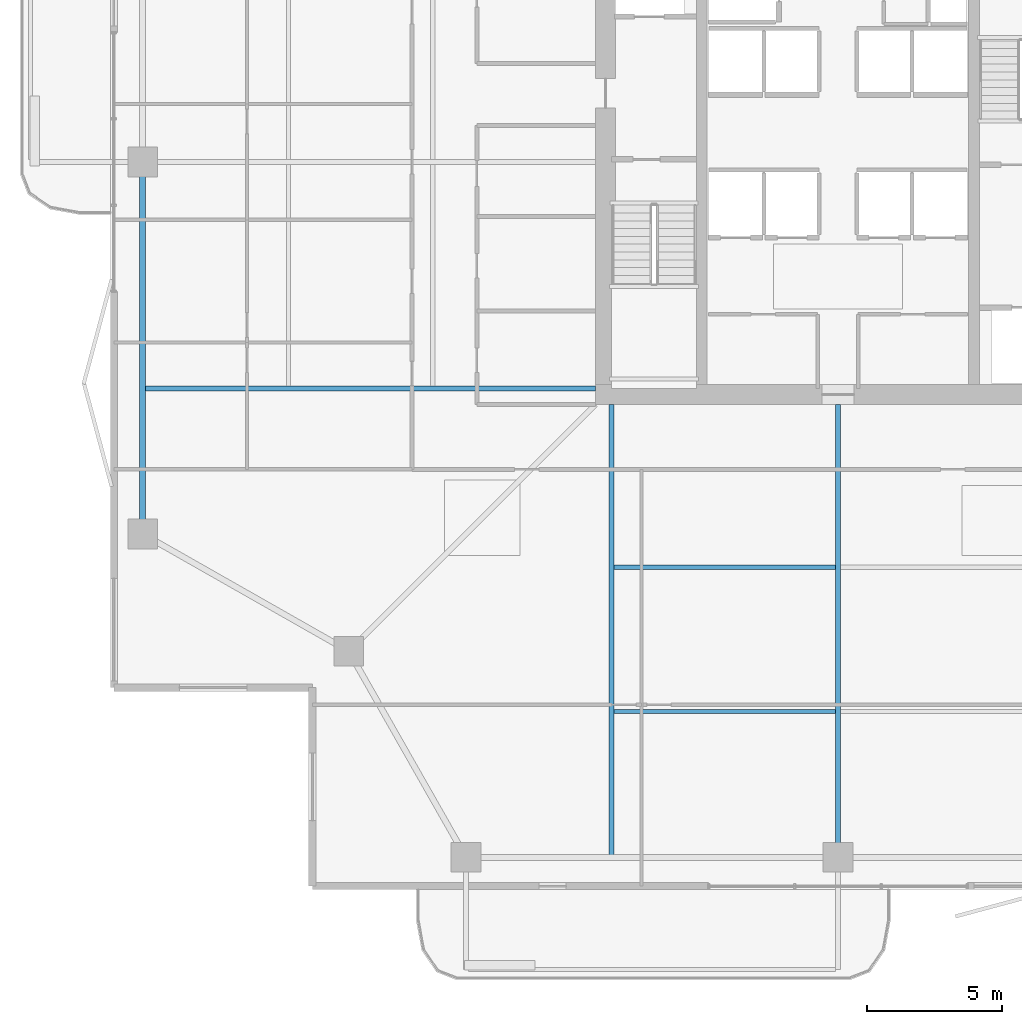
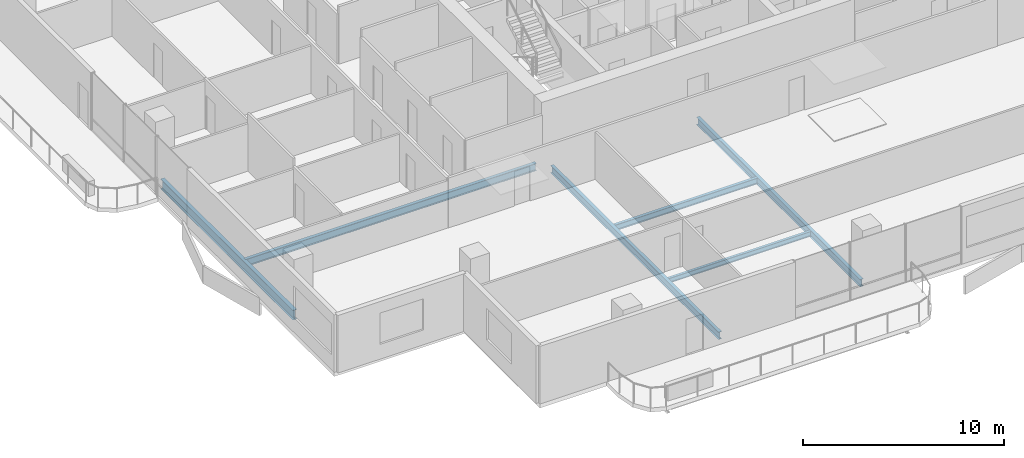
# One storey, part 3 of 23: 6 beams.
"""IFC4 building model written with IfcOpenShell, lengths in metres."""

from ifc_helpers import new_model, si_unit, direction, frame, origin, origin_2d, place, context, subcontext, project, spatial, i_section, extrude, material, material_profile, profile_set, type_object, element, save


model = new_model("IFC4")

# Units and contexts
model_context = context("Model", 3, precision=1e-05, world=origin(), true_north=direction((0.0, 1.0)))
body_context = subcontext(model_context, "Body", "Model", "MODEL_VIEW")
ifc_project = project(units=[si_unit("LENGTHUNIT", "METRE"), si_unit("AREAUNIT", "SQUARE_METRE"), si_unit("VOLUMEUNIT", "CUBIC_METRE"), si_unit("PLANEANGLEUNIT", "RADIAN"), si_unit("MASSUNIT", "GRAM", prefix="KILO")], contexts=[model_context])

# Site, building, storey
site_placement = place(None, origin())
site = spatial("IfcSite", under=ifc_project, at=site_placement, CompositionType="ELEMENT")
building_placement = place(site_placement, origin())
building = spatial("IfcBuilding", under=site, at=building_placement, Name="Belovzor Exchange Tower", CompositionType="ELEMENT")
storey_placement = place(building_placement, frame((0.0, 0.0, 229.949951171875)))
storey = spatial("IfcBuildingStorey", under=building, at=storey_placement, Name="L57", CompositionType="ELEMENT", Elevation=229.949951171875)

# Beams
ifc_material_1 = material(Name="Steel S355", Category="steel")
ifc_material_profile_1 = material_profile(ifc_material_1, i_section(OverallWidth=0.169921875, OverallDepth=0.360107421875, WebThickness=0.008056640625, FlangeThickness=0.0126953125, at=origin_2d()))
ifc_profile_set_1 = profile_set([ifc_material_profile_1], Name="Steel S355")
beam_type_1 = type_object("IfcBeamType", Name="Secondary Infill Floor Joist IPE 360", PredefinedType="BEAM", material=ifc_profile_set_1)
beam_1_placement = place(storey_placement, frame((20.4951171875, 13.77197265625, -0.429931640625), z_axis=(1.0, 0.0, 0.0), x_axis=(0.0, 1.0, 0.0)))
element("IfcBeam", 1, at=beam_1_placement, inside=storey, type_object=beam_type_1, Name="FJ-360 Secondary Infill Floor Joist IPE 360", PredefinedType="BEAM", context=body_context, shape_type="SweptSolid", body=[
    extrude(i_section(OverallWidth=0.169921875, OverallDepth=0.360107421875, WebThickness=0.008056640625, FlangeThickness=0.0126953125, at=origin_2d()), origin(), (0.0, 0.0, 1.0), 8.2099609375),
])
ifc_material_2 = material(Name="Steel S355", Category="steel")
ifc_material_profile_2 = material_profile(ifc_material_2, i_section(OverallWidth=0.14990234375, OverallDepth=0.300048828125, WebThickness=0.007080078125, FlangeThickness=0.0107421875, at=origin_2d()))
ifc_profile_set_2 = profile_set([ifc_material_profile_2], Name="Steel S355")
beam_type_2 = type_object("IfcBeamType", Name="Secondary Trim Floor Joist IPE 300", PredefinedType="BEAM", material=ifc_profile_set_2)
beam_2_placement = place(storey_placement, frame((20.4951171875, 8.4130859375, -0.39990234375), z_axis=(1.0, 0.0, 0.0), x_axis=(0.0, 1.0, 0.0)))
element("IfcBeam", 2, at=beam_2_placement, inside=storey, type_object=beam_type_2, Name="FJ-300 Secondary Trim Floor Joist IPE 300", PredefinedType="BEAM", context=body_context, shape_type="SweptSolid", body=[
    extrude(i_section(OverallWidth=0.14990234375, OverallDepth=0.300048828125, WebThickness=0.007080078125, FlangeThickness=0.0107421875, at=origin_2d()), origin(), (0.0, 0.0, 1.0), 8.2099609375),
])
ifc_material_3 = material(Name="Steel S355", Category="steel")
ifc_material_profile_3 = material_profile(ifc_material_3, i_section(OverallWidth=0.18994140625, OverallDepth=0.449951171875, WebThickness=0.009521484375, FlangeThickness=0.0146484375, at=origin_2d()))
ifc_profile_set_3 = profile_set([ifc_material_profile_3], Name="Steel S355")
beam_type_3 = type_object("IfcBeamType", Name="Zone 2-4 Radial Composite Floor Beam IPE 450", PredefinedType="BEAM", material=ifc_profile_set_3)
beam_3_placement = place(storey_placement, frame((20.39990234375, 19.800048828125, -0.474853515625), z_axis=(0.0, -1.0, 0.0), x_axis=(1.0, 0.0, 0.0)))
element("IfcBeam", 3, at=beam_3_placement, inside=storey, type_object=beam_type_3, Name="FB-450 Zone 2-4 Radial Composite Floor Beam IPE 450", PredefinedType="BEAM", context=body_context, shape_type="SweptSolid", body=[
    extrude(i_section(OverallWidth=0.18994140625, OverallDepth=0.449951171875, WebThickness=0.009521484375, FlangeThickness=0.0146484375, at=origin_2d()), origin(), (0.0, 0.0, 1.0), 16.7451171875),
])
beam_4_placement = place(storey_placement, frame((28.800048828125, 19.800048828125, -0.474853515625), z_axis=(0.0, -1.0, 0.0), x_axis=(1.0, 0.0, 0.0)))
element("IfcBeam", 4, at=beam_4_placement, inside=storey, type_object=beam_type_3, Name="FB-450 Zone 2-4 Radial Composite Floor Beam IPE 450", PredefinedType="BEAM", context=body_context, shape_type="SweptSolid", body=[
    extrude(i_section(OverallWidth=0.18994140625, OverallDepth=0.449951171875, WebThickness=0.009521484375, FlangeThickness=0.0146484375, at=origin_2d()), origin(), (0.0, 0.0, 1.0), 16.316162109375),
])
beam_5_placement = place(storey_placement, frame((19.800048828125, 20.39990234375, -0.474853515625), z_axis=(-1.0, 0.0, 0.0), x_axis=(0.0, -1.0, 0.0)))
element("IfcBeam", 5, at=beam_5_placement, inside=storey, type_object=beam_type_3, Name="FB-450 Zone 2-4 Radial Composite Floor Beam IPE 450", PredefinedType="BEAM", context=body_context, shape_type="SweptSolid", body=[
    extrude(i_section(OverallWidth=0.18994140625, OverallDepth=0.449951171875, WebThickness=0.009521484375, FlangeThickness=0.0146484375, at=origin_2d()), origin(), (0.0, 0.0, 1.0), 16.7451171875),
])
ifc_material_4 = material(Name="Steel S355", Category="steel")
ifc_material_profile_4 = material_profile(ifc_material_4, i_section(OverallWidth=0.219970703125, OverallDepth=0.60009765625, WebThickness=0.011962890625, FlangeThickness=0.01904296875, at=origin_2d()))
ifc_profile_set_4 = profile_set([ifc_material_profile_4], Name="Steel S355")
beam_type_4 = type_object("IfcBeamType", Name="Zone 4 Flare Primary Girder IPE 600", PredefinedType="BEAM", material=ifc_profile_set_4)
beam_6_placement = place(storey_placement, frame((3.0, 28.498046875, -0.550048828125), z_axis=(0.0, -1.0, 0.0), x_axis=(1.0, 0.0, 0.0)))
element("IfcBeam", 6, at=beam_6_placement, inside=storey, type_object=beam_type_4, Name="FG-Z4 Zone 4 Flare Primary Girder IPE 600", PredefinedType="BEAM", context=body_context, shape_type="SweptSolid", body=[
    extrude(i_section(OverallWidth=0.219970703125, OverallDepth=0.60009765625, WebThickness=0.011962890625, FlangeThickness=0.01904296875, at=origin_2d()), origin(), (0.0, 0.0, 1.0), 13.195068359375),
])

save(model, "model.ifc")
